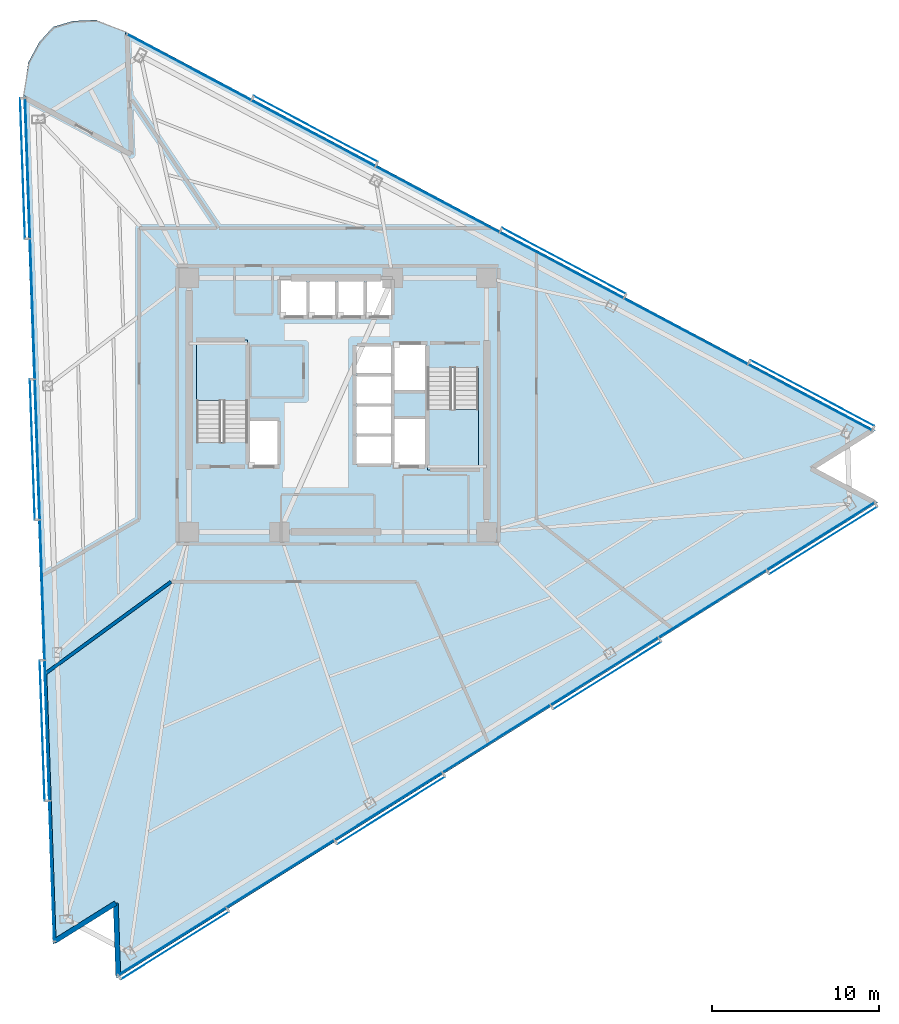
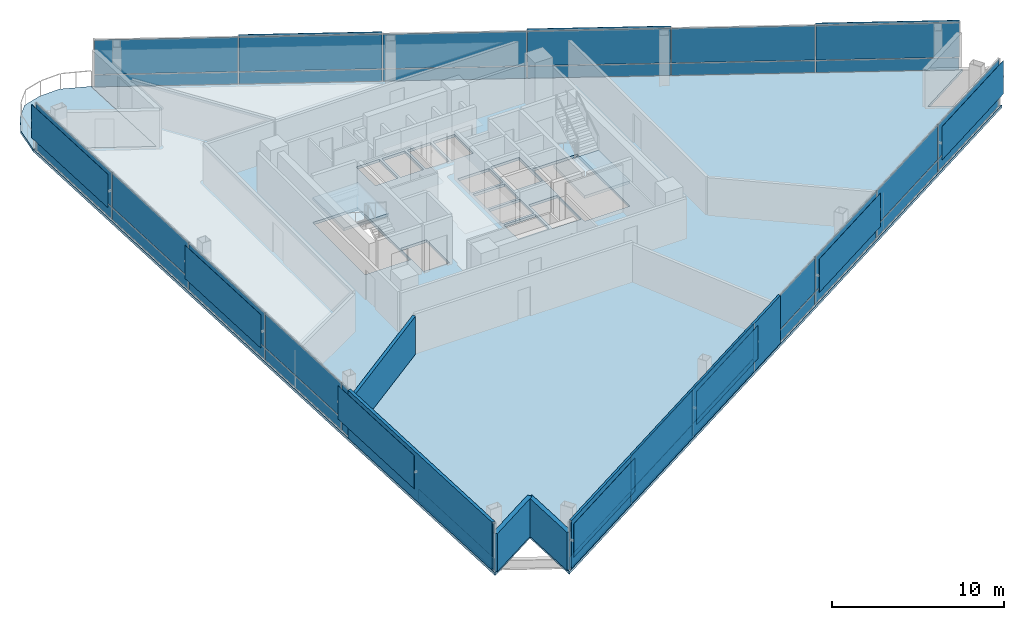
# One storey, part 11 of 18: 48 plates, 5 walls, 4 slabs, 5 elements without a shape of their own.
"""IFC4 building model written with IfcOpenShell, lengths in metres."""

from ifc_helpers import new_model, si_unit, direction, frame, frame_2d, origin, origin_2d, place, context, subcontext, project, spatial, polyline, rectangle, outline, extrude, material, layer, layer_set, type_object, element, aggregate, save


model = new_model("IFC4")

# Units and contexts
model_context = context("Model", 3, precision=1e-05, world=origin(), true_north=direction((0.0, 1.0)))
body_context = subcontext(model_context, "Body", "Model", "MODEL_VIEW")
ifc_project = project(units=[si_unit("LENGTHUNIT", "METRE"), si_unit("AREAUNIT", "SQUARE_METRE"), si_unit("VOLUMEUNIT", "CUBIC_METRE"), si_unit("PLANEANGLEUNIT", "RADIAN"), si_unit("MASSUNIT", "GRAM", prefix="KILO")], contexts=[model_context])

# Site, building, storey
site_placement = place(None, origin())
site = spatial("IfcSite", under=ifc_project, at=site_placement, CompositionType="ELEMENT")
building_placement = place(site_placement, origin())
building = spatial("IfcBuilding", under=site, at=building_placement, Name="Tharavind Bronze Gate", CompositionType="ELEMENT")
storey_placement = place(building_placement, frame((0.0, 0.0, 153.199951171875)))
storey = spatial("IfcBuildingStorey", under=building, at=storey_placement, Name="L39", CompositionType="ELEMENT", Elevation=153.199951171875)

# Plates
ifc_material_1 = material(Name="Perforated Bronze Alloy", Category="bronze")
ifc_layer_1 = layer(ifc_material_1, 0.011962890625)
ifc_layer_set_1 = layer_set([ifc_layer_1], Name="Perforated Bronze Alloy")
plate_type_1 = type_object("IfcPlateType", Name="BRONZE PERFORATED SOLAR SCREEN", PredefinedType="USERDEFINED", material=ifc_layer_set_1)
for number, where, z_axis, x_axis, name in (
    (1, (-18.867919921875, 14.1494140625, 0.966552734375), (0.0, 0.0, 1.0), (0.034899496703, -0.999390827019, 0.0), "CW-L39-S1 perforated bronze solar screen 1"),
    (2, (-18.280517578125, -2.66943359375, 0.966552734375), (0.0, 0.0, 1.0), (0.034899496703, -0.999390827019, 0.0), "CW-L39-S1 perforated bronze solar screen 3"),
    (3, (-17.693115234375, -19.48828125, 0.966552734375), (0.0, 0.0, 1.0), (0.034899496703, -0.999390827019, 0.0), "CW-L39-S1 perforated bronze solar screen 5"),
):
    element("IfcPlate", number, at=place(storey_placement, frame(where, z_axis=z_axis, x_axis=x_axis)), inside=storey, type_object=plate_type_1, Name=name, ObjectType="SCREEN", PredefinedType="USERDEFINED", context=body_context, shape_type="SweptSolid", body=[
        extrude(rectangle(XDim=8.39453125, YDim=0.011962890625, at=origin_2d()), origin(), (0.0, 0.0, 1.0), 2.376953125),
    ])
for number, where, z_axis, x_axis, name in (
    (4, (-9.75439453125, -32.3505859375, 0.966552734375), (0.0, 0.0, 1.0), (0.848048096156, 0.529919264233, 0.0), "CW-L39-S2 perforated bronze solar screen 1"),
    (5, (3.176513671875, -24.2705078125, 0.966552734375), (0.0, 0.0, 1.0), (0.848048096156, 0.529919264233, 0.0), "CW-L39-S2 perforated bronze solar screen 3"),
    (6, (16.107421875, -16.190185546875, 0.966552734375), (0.0, 0.0, 1.0), (0.848048096156, 0.529919264233, 0.0), "CW-L39-S2 perforated bronze solar screen 5"),
    (7, (29.0380859375, -8.110107421875, 0.966552734375), (0.0, 0.0, 1.0), (0.848048096156, 0.529919264233, 0.0), "CW-L39-S2 perforated bronze solar screen 7"),
):
    element("IfcPlate", number, at=place(storey_placement, frame(where, z_axis=z_axis, x_axis=x_axis)), inside=storey, type_object=plate_type_1, Name=name, ObjectType="SCREEN", PredefinedType="USERDEFINED", context=body_context, shape_type="SweptSolid", body=[
        extrude(rectangle(XDim=7.60400390625, YDim=0.011962890625, at=origin_2d()), origin(), (0.0, 0.0, 1.0), 2.376953125),
    ])
for number, where, z_axis, x_axis, name in (
    (8, (28.387451171875, 0.713134765625, 0.966552734375), (0.0, 0.0, 1.0), (-0.882947592859, 0.469471562786, 0.0), "CW-L39-S3 perforated bronze solar screen 1"),
    (9, (13.5283203125, 8.614013671875, 0.966552734375), (0.0, 0.0, 1.0), (-0.882947592859, 0.469471562786, 0.0), "CW-L39-S3 perforated bronze solar screen 3"),
    (10, (-1.3310546875, 16.514892578125, 0.966552734375), (0.0, 0.0, 1.0), (-0.882947592859, 0.469471562786, 0.0), "CW-L39-S3 perforated bronze solar screen 5"),
):
    element("IfcPlate", number, at=place(storey_placement, frame(where, z_axis=z_axis, x_axis=x_axis)), inside=storey, type_object=plate_type_1, Name=name, ObjectType="SCREEN", PredefinedType="USERDEFINED", context=body_context, shape_type="SweptSolid", body=[
        extrude(rectangle(XDim=8.39453125, YDim=0.011962890625, at=origin_2d()), origin(), (0.0, 0.0, 1.0), 2.376953125),
    ])

# Curtain wall, plates
ifc_material_2 = material(Name="Anodised Bronze Aluminium", Category="aluminium")
ifc_layer_2 = layer(ifc_material_2, 0.219970703125)
ifc_layer_set_2 = layer_set([ifc_layer_2], Name="Anodised Bronze Aluminium")
curtain_wall_type = type_object("IfcCurtainWallType", Name="UNITISED CURTAIN WALL MID OFFICE", PredefinedType="USERDEFINED", material=ifc_layer_set_2)
curtain_wall_1_placement = place(storey_placement, origin())
curtain_wall_1 = element("IfcCurtainWall", 11, at=curtain_wall_1_placement, inside=storey, type_object=curtain_wall_type, Name="L39 unitised curtain wall mid office CW-L39-S1", ObjectType="UNITISED CURTAIN WALL", PredefinedType="USERDEFINED")
ifc_material_3 = material(Name="Patinated Bronze Alloy Sheet", Category="bronze")
ifc_layer_3 = layer(ifc_material_3, 0.01611328125)
ifc_layer_set_3 = layer_set([ifc_layer_3], Name="Patinated Bronze Alloy Sheet")
plate_type_2 = type_object("IfcPlateType", Name="BRONZE SPANDREL CLADDING PANEL 16", PredefinedType="CURTAIN_PANEL", material=ifc_layer_set_3)
plate_1_placement = place(storey_placement, frame((-18.572998046875, 14.159912109375, 0.0263671875), z_axis=(0.0, 0.0, 1.0), x_axis=(0.034899496703, -0.999390827019, 0.0)))
plate_1 = element("IfcPlate", 12, at=plate_1_placement, type_object=plate_type_2, Name="CW-L39-S1 bronze spandrel panel 1", PredefinedType="CURTAIN_PANEL", context=body_context, shape_type="SweptSolid", body=[
    extrude(rectangle(XDim=8.361572265625, YDim=0.01611328125, at=origin_2d()), origin(), (0.0, 0.0, 1.0), 0.846923828125),
])
plate_2_placement = place(storey_placement, frame((-18.279296875, 5.750244140625, 0.0263671875), z_axis=(0.0, 0.0, 1.0), x_axis=(0.034899496703, -0.999390827019, 0.0)))
plate_2 = element("IfcPlate", 13, at=plate_2_placement, type_object=plate_type_2, Name="CW-L39-S1 bronze spandrel panel 2", PredefinedType="CURTAIN_PANEL", context=body_context, shape_type="SweptSolid", body=[
    extrude(rectangle(XDim=8.361572265625, YDim=0.01611328125, at=origin_2d()), origin(), (0.0, 0.0, 1.0), 0.846923828125),
])
plate_3_placement = place(storey_placement, frame((-17.985595703125, -2.6591796875, 0.0263671875), z_axis=(0.0, 0.0, 1.0), x_axis=(0.034899496703, -0.999390827019, 0.0)))
plate_3 = element("IfcPlate", 14, at=plate_3_placement, type_object=plate_type_2, Name="CW-L39-S1 bronze spandrel panel 3", PredefinedType="CURTAIN_PANEL", context=body_context, shape_type="SweptSolid", body=[
    extrude(rectangle(XDim=8.361572265625, YDim=0.01611328125, at=origin_2d()), origin(), (0.0, 0.0, 1.0), 0.846923828125),
])
plate_4_placement = place(storey_placement, frame((-17.69189453125, -11.068603515625, 0.0263671875), z_axis=(0.0, 0.0, 1.0), x_axis=(0.034899496703, -0.999390827019, 0.0)))
plate_4 = element("IfcPlate", 15, at=plate_4_placement, type_object=plate_type_2, Name="CW-L39-S1 bronze spandrel panel 4", PredefinedType="CURTAIN_PANEL", context=body_context, shape_type="SweptSolid", body=[
    extrude(rectangle(XDim=8.361572265625, YDim=0.01611328125, at=origin_2d()), origin(), (0.0, 0.0, 1.0), 0.846923828125),
])
plate_5_placement = place(storey_placement, frame((-17.398193359375, -19.477783203125, 0.0263671875), z_axis=(0.0, 0.0, 1.0), x_axis=(0.034899496703, -0.999390827019, 0.0)))
plate_5 = element("IfcPlate", 16, at=plate_5_placement, type_object=plate_type_2, Name="CW-L39-S1 bronze spandrel panel 5", PredefinedType="CURTAIN_PANEL", context=body_context, shape_type="SweptSolid", body=[
    extrude(rectangle(XDim=8.361572265625, YDim=0.01611328125, at=origin_2d()), origin(), (0.0, 0.0, 1.0), 0.846923828125),
])
plate_6_placement = place(storey_placement, frame((-17.1044921875, -27.887451171875, 0.0263671875), z_axis=(0.0, 0.0, 1.0), x_axis=(0.034899496703, -0.999390827019, 0.0)))
plate_6 = element("IfcPlate", 17, at=plate_6_placement, type_object=plate_type_2, Name="CW-L39-S1 bronze spandrel panel 6", PredefinedType="CURTAIN_PANEL", context=body_context, shape_type="SweptSolid", body=[
    extrude(rectangle(XDim=8.361572265625, YDim=0.01611328125, at=origin_2d()), origin(), (0.0, 0.0, 1.0), 0.846923828125),
])

curtain_wall_2_placement = place(storey_placement, origin())
curtain_wall_2 = element("IfcCurtainWall", 18, at=curtain_wall_2_placement, inside=storey, type_object=curtain_wall_type, Name="L39 unitised curtain wall mid office CW-L39-S2", ObjectType="UNITISED CURTAIN WALL", PredefinedType="USERDEFINED")
plate_7_placement = place(storey_placement, frame((-9.910888671875, -32.100341796875, 0.0263671875), z_axis=(0.0, 0.0, 1.0), x_axis=(0.848048096156, 0.529919264233, 0.0)))
plate_7 = element("IfcPlate", 19, at=plate_7_placement, type_object=plate_type_2, Name="CW-L39-S2 bronze spandrel panel 1", PredefinedType="CURTAIN_PANEL", context=body_context, shape_type="SweptSolid", body=[
    extrude(rectangle(XDim=7.57080078125, YDim=0.01611328125, at=origin_2d()), origin(), (0.0, 0.0, 1.0), 0.846923828125),
])
plate_8_placement = place(storey_placement, frame((-3.4453125, -28.060302734375, 0.0263671875), z_axis=(0.0, 0.0, 1.0), x_axis=(0.848048096156, 0.529919264233, 0.0)))
plate_8 = element("IfcPlate", 20, at=plate_8_placement, type_object=plate_type_2, Name="CW-L39-S2 bronze spandrel panel 2", PredefinedType="CURTAIN_PANEL", context=body_context, shape_type="SweptSolid", body=[
    extrude(rectangle(XDim=7.57080078125, YDim=0.01611328125, at=origin_2d()), origin(), (0.0, 0.0, 1.0), 0.846923828125),
])
plate_9_placement = place(storey_placement, frame((3.02001953125, -24.020263671875, 0.0263671875), z_axis=(0.0, 0.0, 1.0), x_axis=(0.848048096156, 0.529919264233, 0.0)))
plate_9 = element("IfcPlate", 21, at=plate_9_placement, type_object=plate_type_2, Name="CW-L39-S2 bronze spandrel panel 3", PredefinedType="CURTAIN_PANEL", context=body_context, shape_type="SweptSolid", body=[
    extrude(rectangle(XDim=7.57080078125, YDim=0.01611328125, at=origin_2d()), origin(), (0.0, 0.0, 1.0), 0.846923828125),
])
plate_10_placement = place(storey_placement, frame((9.485595703125, -19.97998046875, 0.0263671875), z_axis=(0.0, 0.0, 1.0), x_axis=(0.848048096156, 0.529919264233, 0.0)))
plate_10 = element("IfcPlate", 22, at=plate_10_placement, type_object=plate_type_2, Name="CW-L39-S2 bronze spandrel panel 4", PredefinedType="CURTAIN_PANEL", context=body_context, shape_type="SweptSolid", body=[
    extrude(rectangle(XDim=7.57080078125, YDim=0.01611328125, at=origin_2d()), origin(), (0.0, 0.0, 1.0), 0.846923828125),
])
plate_11_placement = place(storey_placement, frame((15.950927734375, -15.93994140625, 0.0263671875), z_axis=(0.0, 0.0, 1.0), x_axis=(0.848048096156, 0.529919264233, 0.0)))
plate_11 = element("IfcPlate", 23, at=plate_11_placement, type_object=plate_type_2, Name="CW-L39-S2 bronze spandrel panel 5", PredefinedType="CURTAIN_PANEL", context=body_context, shape_type="SweptSolid", body=[
    extrude(rectangle(XDim=7.57080078125, YDim=0.01611328125, at=origin_2d()), origin(), (0.0, 0.0, 1.0), 0.846923828125),
])
plate_12_placement = place(storey_placement, frame((22.41650390625, -11.89990234375, 0.0263671875), z_axis=(0.0, 0.0, 1.0), x_axis=(0.848048096156, 0.529919264233, 0.0)))
plate_12 = element("IfcPlate", 24, at=plate_12_placement, type_object=plate_type_2, Name="CW-L39-S2 bronze spandrel panel 6", PredefinedType="CURTAIN_PANEL", context=body_context, shape_type="SweptSolid", body=[
    extrude(rectangle(XDim=7.57080078125, YDim=0.01611328125, at=origin_2d()), origin(), (0.0, 0.0, 1.0), 0.846923828125),
])
plate_13_placement = place(storey_placement, frame((28.8818359375, -7.85986328125, 0.0263671875), z_axis=(0.0, 0.0, 1.0), x_axis=(0.848048096156, 0.529919264233, 0.0)))
plate_13 = element("IfcPlate", 25, at=plate_13_placement, type_object=plate_type_2, Name="CW-L39-S2 bronze spandrel panel 7", PredefinedType="CURTAIN_PANEL", context=body_context, shape_type="SweptSolid", body=[
    extrude(rectangle(XDim=7.57080078125, YDim=0.01611328125, at=origin_2d()), origin(), (0.0, 0.0, 1.0), 0.846923828125),
])

curtain_wall_3_placement = place(storey_placement, origin())
curtain_wall_3 = element("IfcCurtainWall", 26, at=curtain_wall_3_placement, inside=storey, type_object=curtain_wall_type, Name="L39 unitised curtain wall mid office CW-L39-S3", ObjectType="UNITISED CURTAIN WALL", PredefinedType="USERDEFINED")
plate_14_placement = place(storey_placement, frame((28.2490234375, 0.45263671875, 0.0263671875), z_axis=(0.0, 0.0, 1.0), x_axis=(-0.882947592859, 0.469471562786, 0.0)))
plate_14 = element("IfcPlate", 27, at=plate_14_placement, type_object=plate_type_2, Name="CW-L39-S3 bronze spandrel panel 1", PredefinedType="CURTAIN_PANEL", context=body_context, shape_type="SweptSolid", body=[
    extrude(rectangle(XDim=8.361572265625, YDim=0.01611328125, at=origin_2d()), origin(), (0.0, 0.0, 1.0), 0.846923828125),
])
plate_15_placement = place(storey_placement, frame((20.8193359375, 4.403076171875, 0.0263671875), z_axis=(0.0, 0.0, 1.0), x_axis=(-0.882947592859, 0.469471562786, 0.0)))
plate_15 = element("IfcPlate", 28, at=plate_15_placement, type_object=plate_type_2, Name="CW-L39-S3 bronze spandrel panel 2", PredefinedType="CURTAIN_PANEL", context=body_context, shape_type="SweptSolid", body=[
    extrude(rectangle(XDim=8.361572265625, YDim=0.01611328125, at=origin_2d()), origin(), (0.0, 0.0, 1.0), 0.846923828125),
])
plate_16_placement = place(storey_placement, frame((13.389892578125, 8.353515625, 0.0263671875), z_axis=(0.0, 0.0, 1.0), x_axis=(-0.882947592859, 0.469471562786, 0.0)))
plate_16 = element("IfcPlate", 29, at=plate_16_placement, type_object=plate_type_2, Name="CW-L39-S3 bronze spandrel panel 3", PredefinedType="CURTAIN_PANEL", context=body_context, shape_type="SweptSolid", body=[
    extrude(rectangle(XDim=8.361572265625, YDim=0.01611328125, at=origin_2d()), origin(), (0.0, 0.0, 1.0), 0.846923828125),
])
plate_17_placement = place(storey_placement, frame((5.960205078125, 12.303955078125, 0.0263671875), z_axis=(0.0, 0.0, 1.0), x_axis=(-0.882947592859, 0.469471562786, 0.0)))
plate_17 = element("IfcPlate", 30, at=plate_17_placement, type_object=plate_type_2, Name="CW-L39-S3 bronze spandrel panel 4", PredefinedType="CURTAIN_PANEL", context=body_context, shape_type="SweptSolid", body=[
    extrude(rectangle(XDim=8.361572265625, YDim=0.01611328125, at=origin_2d()), origin(), (0.0, 0.0, 1.0), 0.846923828125),
])
plate_18_placement = place(storey_placement, frame((-1.469482421875, 16.25439453125, 0.0263671875), z_axis=(0.0, 0.0, 1.0), x_axis=(-0.882947592859, 0.469471562786, 0.0)))
plate_18 = element("IfcPlate", 31, at=plate_18_placement, type_object=plate_type_2, Name="CW-L39-S3 bronze spandrel panel 5", PredefinedType="CURTAIN_PANEL", context=body_context, shape_type="SweptSolid", body=[
    extrude(rectangle(XDim=8.361572265625, YDim=0.01611328125, at=origin_2d()), origin(), (0.0, 0.0, 1.0), 0.846923828125),
])
plate_19_placement = place(storey_placement, frame((-8.899169921875, 20.20458984375, 0.0263671875), z_axis=(0.0, 0.0, 1.0), x_axis=(-0.882947592859, 0.469471562786, 0.0)))
plate_19 = element("IfcPlate", 32, at=plate_19_placement, type_object=plate_type_2, Name="CW-L39-S3 bronze spandrel panel 6", PredefinedType="CURTAIN_PANEL", context=body_context, shape_type="SweptSolid", body=[
    extrude(rectangle(XDim=8.361572265625, YDim=0.01611328125, at=origin_2d()), origin(), (0.0, 0.0, 1.0), 0.846923828125),
])

# Slab
ifc_material_4 = material(Name="Concrete C40/50", Category="concrete")
ifc_layer_4 = layer(ifc_material_4, 0.179931640625)
ifc_layer_set_4 = layer_set([ifc_layer_4], Name="Concrete C40/50")
slab_type_1 = type_object("IfcSlabType", Name="EXTERIOR BALCONY SLAB 180", PredefinedType="FLOOR", material=ifc_layer_set_4)
slab_1_placement = place(storey_placement, frame((0.0, 0.0, -0.179931640625)))
element("IfcSlab", 33, at=slab_1_placement, inside=storey, type_object=slab_type_1, Name="L39 northeast tree balcony slab", PredefinedType="FLOOR", context=body_context, shape_type="SweptSolid", body=[
    extrude(outline(polyline([(-14.45654296875, 23.033203125), (-15.835693359375, 22.975830078125), (-17.032470703125, 22.626220703125), (-17.87109375, 21.7041015625), (-18.527099609375, 20.489501953125), (-18.82568359375, 18.5341796875), (-12.468505859375, 15.15380859375), (-12.719970703125, 22.349609375), (-14.45654296875, 23.033203125)])), origin(), (0.0, 0.0, 1.0), 0.179931640625),
])

# Stair, slab
stair_type = type_object("IfcStairType", Name="CORE HALF TURN STAIR 1450", PredefinedType="HALF_TURN_STAIR", material=ifc_material_4)
stair_1_placement = place(storey_placement, origin())
stair_1 = element("IfcStair", 34, at=stair_1_placement, inside=storey, type_object=stair_type, Name="L39 Protected Exit Stair ST1", PredefinedType="HALF_TURN_STAIR")
ifc_layer_5 = layer(ifc_material_4, 0.199951171875)
ifc_layer_set_5 = layer_set([ifc_layer_5], Name="Concrete C40/50")
slab_type_2 = type_object("IfcSlabType", Name="STAIR LANDING SLAB 200", PredefinedType="LANDING", material=ifc_layer_set_5)
slab_2_placement = place(storey_placement, frame((0.0, 0.0, 1.60009765625)))
slab_2 = element("IfcSlab", 35, at=slab_2_placement, type_object=slab_type_2, Name="ST1 landing 1", PredefinedType="LANDING", context=body_context, shape_type="SweptSolid", body=[
    extrude(outline(polyline([(-5.39990234375, 0.27001953125), (-5.39990234375, 3.89990234375), (-8.449951171875, 3.89990234375), (-8.449951171875, 0.27001953125), (-5.39990234375, 0.27001953125)])), origin(), (0.0, 0.0, 1.0), 0.199951171875),
])
aggregate(stair_1, [slab_2])

stair_2_placement = place(storey_placement, origin())
stair_2 = element("IfcStair", 36, at=stair_2_placement, inside=storey, type_object=stair_type, Name="L39 Protected Exit Stair ST2", PredefinedType="HALF_TURN_STAIR")
slab_3_placement = place(storey_placement, frame((0.0, 0.0, 1.60009765625)))
slab_3 = element("IfcSlab", 37, at=slab_3_placement, type_object=slab_type_2, Name="ST2 landing 1", PredefinedType="LANDING", context=body_context, shape_type="SweptSolid", body=[
    extrude(outline(polyline([(5.35009765625, -0.27001953125), (5.35009765625, -3.89990234375), (8.39990234375, -3.89990234375), (8.39990234375, -0.27001953125), (5.35009765625, -0.27001953125)])), origin(), (0.0, 0.0, 1.0), 0.199951171875),
])
aggregate(stair_2, [slab_3])

# Slab
ifc_layer_6 = layer(ifc_material_4, 0.18994140625)
ifc_layer_set_6 = layer_set([ifc_layer_6], Name="Concrete C40/50")
slab_type_3 = type_object("IfcSlabType", Name="STRUCTURAL FLOOR SLAB 190", PredefinedType="FLOOR", material=ifc_layer_set_6)
slab_4_placement = place(storey_placement, frame((0.0, 0.0, -0.18994140625)))
element("IfcSlab", 38, at=slab_4_placement, inside=storey, type_object=slab_type_3, Name="L39 main structural floor slab", PredefinedType="FLOOR", context=body_context, shape_type="SweptSolid", body=[
    extrude(outline(polyline([(-12.719970703125, 22.349609375), (-12.468505859375, 15.15380859375), (-18.82568359375, 18.5341796875), (-17.0517578125, -32.268798828125), (-13.38818359375, -29.9794921875), (-13.2373046875, -34.296875), (32.314453125, -5.8330078125), (28.500244140625, -3.8046875), (32.163818359375, -1.515380859375), (-12.719970703125, 22.349609375)]), holes=[polyline([(-5.39990234375, -2.215087890625), (-5.39990234375, 3.89990234375), (-8.449951171875, 3.89990234375), (-8.449951171875, -2.215087890625), (-5.39990234375, -2.215087890625)]), polyline([(5.35009765625, 2.215087890625), (5.35009765625, -3.89990234375), (8.39990234375, -3.89990234375), (8.39990234375, 2.215087890625), (5.35009765625, 2.215087890625)]), polyline([(-3.419921875, 5.330078125), (-1.867431640625, 5.330078125), (-1.867431640625, 7.52001953125), (-3.419921875, 7.52001953125), (-3.419921875, 5.330078125)]), polyline([(-1.70751953125, 5.330078125), (-0.155029296875, 5.330078125), (-0.155029296875, 7.52001953125), (-1.70751953125, 7.52001953125), (-1.70751953125, 5.330078125)]), polyline([(0.0048828125, 5.330078125), (1.5576171875, 5.330078125), (1.5576171875, 7.52001953125), (0.0048828125, 7.52001953125), (0.0048828125, 5.330078125)]), polyline([(1.717529296875, 5.330078125), (3.199951171875, 5.330078125), (3.199951171875, 7.52001953125), (1.717529296875, 7.52001953125), (1.717529296875, 5.330078125)]), polyline([(1.080078125, -3.52001953125), (3.199951171875, -3.52001953125), (3.199951171875, -1.8798828125), (1.080078125, -1.8798828125), (1.080078125, -3.52001953125)]), polyline([(1.080078125, -1.719970703125), (3.199951171875, -1.719970703125), (3.199951171875, -0.080078125), (1.080078125, -0.080078125), (1.080078125, -1.719970703125)]), polyline([(1.080078125, 0.080078125), (3.199951171875, 0.080078125), (3.199951171875, 1.719970703125), (1.080078125, 1.719970703125), (1.080078125, 0.080078125)]), polyline([(1.080078125, 1.8798828125), (3.199951171875, 1.8798828125), (3.199951171875, 3.52001953125), (1.080078125, 3.52001953125), (1.080078125, 1.8798828125)]), polyline([(-5.320068359375, -3.6201171875), (-3.580078125, -3.6201171875), (-3.580078125, -0.929931640625), (-5.320068359375, -0.929931640625), (-5.320068359375, -3.6201171875)]), polyline([(3.360107421875, 0.8798828125), (5.27001953125, 0.8798828125), (5.27001953125, 3.6201171875), (3.360107421875, 3.6201171875), (3.360107421875, 0.8798828125)]), polyline([(3.360107421875, -3.6201171875), (5.27001953125, -3.6201171875), (5.27001953125, -0.830078125), (3.360107421875, -0.830078125), (3.360107421875, -3.6201171875)])]), origin(), (0.0, 0.0, 1.0), 0.18994140625),
])

# Plate
ifc_material_5 = material(Name="Triple Solar Control Glazing", Category="glass")
ifc_layer_7 = layer(ifc_material_5, 0.0439453125)
ifc_layer_set_7 = layer_set([ifc_layer_7], Name="Triple Solar Control Glazing")
plate_type_3 = type_object("IfcPlateType", Name="TRIPLE GLAZED FACADE PANEL 44", PredefinedType="CURTAIN_PANEL", material=ifc_layer_set_7)
plate_20_placement = place(storey_placement, frame((-18.572998046875, 14.159912109375, 0.926513671875), z_axis=(0.0, 0.0, 1.0), x_axis=(0.034899496703, -0.999390827019, 0.0)))
plate_20 = element("IfcPlate", 39, at=plate_20_placement, type_object=plate_type_3, Name="CW-L39-S1 vision glazing panel 1", PredefinedType="CURTAIN_PANEL", context=body_context, shape_type="SweptSolid", body=[
    extrude(rectangle(XDim=8.361572265625, YDim=0.0439453125, at=origin_2d()), origin(), (0.0, 0.0, 1.0), 2.45703125),
])

plate_21_placement = place(storey_placement, frame((-18.279296875, 5.750244140625, 0.926513671875), z_axis=(0.0, 0.0, 1.0), x_axis=(0.034899496703, -0.999390827019, 0.0)))
plate_21 = element("IfcPlate", 40, at=plate_21_placement, type_object=plate_type_3, Name="CW-L39-S1 vision glazing panel 2", PredefinedType="CURTAIN_PANEL", context=body_context, shape_type="SweptSolid", body=[
    extrude(rectangle(XDim=8.361572265625, YDim=0.0439453125, at=origin_2d()), origin(), (0.0, 0.0, 1.0), 2.45703125),
])

plate_22_placement = place(storey_placement, frame((-17.985595703125, -2.6591796875, 0.926513671875), z_axis=(0.0, 0.0, 1.0), x_axis=(0.034899496703, -0.999390827019, 0.0)))
plate_22 = element("IfcPlate", 41, at=plate_22_placement, type_object=plate_type_3, Name="CW-L39-S1 vision glazing panel 3", PredefinedType="CURTAIN_PANEL", context=body_context, shape_type="SweptSolid", body=[
    extrude(rectangle(XDim=8.361572265625, YDim=0.0439453125, at=origin_2d()), origin(), (0.0, 0.0, 1.0), 2.45703125),
])

plate_23_placement = place(storey_placement, frame((-17.69189453125, -11.068603515625, 0.926513671875), z_axis=(0.0, 0.0, 1.0), x_axis=(0.034899496703, -0.999390827019, 0.0)))
plate_23 = element("IfcPlate", 42, at=plate_23_placement, type_object=plate_type_3, Name="CW-L39-S1 vision glazing panel 4", PredefinedType="CURTAIN_PANEL", context=body_context, shape_type="SweptSolid", body=[
    extrude(rectangle(XDim=8.361572265625, YDim=0.0439453125, at=origin_2d()), origin(), (0.0, 0.0, 1.0), 2.45703125),
])

plate_24_placement = place(storey_placement, frame((-17.398193359375, -19.477783203125, 0.926513671875), z_axis=(0.0, 0.0, 1.0), x_axis=(0.034899496703, -0.999390827019, 0.0)))
plate_24 = element("IfcPlate", 43, at=plate_24_placement, type_object=plate_type_3, Name="CW-L39-S1 vision glazing panel 5", PredefinedType="CURTAIN_PANEL", context=body_context, shape_type="SweptSolid", body=[
    extrude(rectangle(XDim=8.361572265625, YDim=0.0439453125, at=origin_2d()), origin(), (0.0, 0.0, 1.0), 2.45703125),
])

plate_25_placement = place(storey_placement, frame((-17.1044921875, -27.887451171875, 0.926513671875), z_axis=(0.0, 0.0, 1.0), x_axis=(0.034899496703, -0.999390827019, 0.0)))
plate_25 = element("IfcPlate", 44, at=plate_25_placement, type_object=plate_type_3, Name="CW-L39-S1 vision glazing panel 6", PredefinedType="CURTAIN_PANEL", context=body_context, shape_type="SweptSolid", body=[
    extrude(rectangle(XDim=8.361572265625, YDim=0.0439453125, at=origin_2d()), origin(), (0.0, 0.0, 1.0), 2.45703125),
])

aggregate(curtain_wall_1, [plate_1, plate_20, plate_2, plate_21, plate_3, plate_22, plate_4, plate_23, plate_5, plate_24, plate_6, plate_25])

plate_26_placement = place(storey_placement, frame((-9.910888671875, -32.100341796875, 0.926513671875), z_axis=(0.0, 0.0, 1.0), x_axis=(0.848048096156, 0.529919264233, 0.0)))
plate_26 = element("IfcPlate", 45, at=plate_26_placement, type_object=plate_type_3, Name="CW-L39-S2 vision glazing panel 1", PredefinedType="CURTAIN_PANEL", context=body_context, shape_type="SweptSolid", body=[
    extrude(rectangle(XDim=7.57080078125, YDim=0.0439453125, at=origin_2d()), origin(), (0.0, 0.0, 1.0), 2.45703125),
])

plate_27_placement = place(storey_placement, frame((-3.4453125, -28.060302734375, 0.926513671875), z_axis=(0.0, 0.0, 1.0), x_axis=(0.848048096156, 0.529919264233, 0.0)))
plate_27 = element("IfcPlate", 46, at=plate_27_placement, type_object=plate_type_3, Name="CW-L39-S2 vision glazing panel 2", PredefinedType="CURTAIN_PANEL", context=body_context, shape_type="SweptSolid", body=[
    extrude(rectangle(XDim=7.57080078125, YDim=0.0439453125, at=origin_2d()), origin(), (0.0, 0.0, 1.0), 2.45703125),
])

plate_28_placement = place(storey_placement, frame((3.02001953125, -24.020263671875, 0.926513671875), z_axis=(0.0, 0.0, 1.0), x_axis=(0.848048096156, 0.529919264233, 0.0)))
plate_28 = element("IfcPlate", 47, at=plate_28_placement, type_object=plate_type_3, Name="CW-L39-S2 vision glazing panel 3", PredefinedType="CURTAIN_PANEL", context=body_context, shape_type="SweptSolid", body=[
    extrude(rectangle(XDim=7.57080078125, YDim=0.0439453125, at=origin_2d()), origin(), (0.0, 0.0, 1.0), 2.45703125),
])

plate_29_placement = place(storey_placement, frame((9.485595703125, -19.97998046875, 0.926513671875), z_axis=(0.0, 0.0, 1.0), x_axis=(0.848048096156, 0.529919264233, 0.0)))
plate_29 = element("IfcPlate", 48, at=plate_29_placement, type_object=plate_type_3, Name="CW-L39-S2 vision glazing panel 4", PredefinedType="CURTAIN_PANEL", context=body_context, shape_type="SweptSolid", body=[
    extrude(rectangle(XDim=7.57080078125, YDim=0.0439453125, at=origin_2d()), origin(), (0.0, 0.0, 1.0), 2.45703125),
])

plate_30_placement = place(storey_placement, frame((15.950927734375, -15.93994140625, 0.926513671875), z_axis=(0.0, 0.0, 1.0), x_axis=(0.848048096156, 0.529919264233, 0.0)))
plate_30 = element("IfcPlate", 49, at=plate_30_placement, type_object=plate_type_3, Name="CW-L39-S2 vision glazing panel 5", PredefinedType="CURTAIN_PANEL", context=body_context, shape_type="SweptSolid", body=[
    extrude(rectangle(XDim=7.57080078125, YDim=0.0439453125, at=origin_2d()), origin(), (0.0, 0.0, 1.0), 2.45703125),
])

plate_31_placement = place(storey_placement, frame((22.41650390625, -11.89990234375, 0.926513671875), z_axis=(0.0, 0.0, 1.0), x_axis=(0.848048096156, 0.529919264233, 0.0)))
plate_31 = element("IfcPlate", 50, at=plate_31_placement, type_object=plate_type_3, Name="CW-L39-S2 vision glazing panel 6", PredefinedType="CURTAIN_PANEL", context=body_context, shape_type="SweptSolid", body=[
    extrude(rectangle(XDim=7.57080078125, YDim=0.0439453125, at=origin_2d()), origin(), (0.0, 0.0, 1.0), 2.45703125),
])

plate_32_placement = place(storey_placement, frame((28.8818359375, -7.85986328125, 0.926513671875), z_axis=(0.0, 0.0, 1.0), x_axis=(0.848048096156, 0.529919264233, 0.0)))
plate_32 = element("IfcPlate", 51, at=plate_32_placement, type_object=plate_type_3, Name="CW-L39-S2 vision glazing panel 7", PredefinedType="CURTAIN_PANEL", context=body_context, shape_type="SweptSolid", body=[
    extrude(rectangle(XDim=7.57080078125, YDim=0.0439453125, at=origin_2d()), origin(), (0.0, 0.0, 1.0), 2.45703125),
])

aggregate(curtain_wall_2, [plate_7, plate_26, plate_8, plate_27, plate_9, plate_28, plate_10, plate_29, plate_11, plate_30, plate_12, plate_31, plate_13, plate_32])

plate_33_placement = place(storey_placement, frame((28.2490234375, 0.45263671875, 0.926513671875), z_axis=(0.0, 0.0, 1.0), x_axis=(-0.882947592859, 0.469471562786, 0.0)))
plate_33 = element("IfcPlate", 52, at=plate_33_placement, type_object=plate_type_3, Name="CW-L39-S3 vision glazing panel 1", PredefinedType="CURTAIN_PANEL", context=body_context, shape_type="SweptSolid", body=[
    extrude(rectangle(XDim=8.361572265625, YDim=0.0439453125, at=origin_2d()), origin(), (0.0, 0.0, 1.0), 2.45703125),
])

plate_34_placement = place(storey_placement, frame((20.8193359375, 4.403076171875, 0.926513671875), z_axis=(0.0, 0.0, 1.0), x_axis=(-0.882947592859, 0.469471562786, 0.0)))
plate_34 = element("IfcPlate", 53, at=plate_34_placement, type_object=plate_type_3, Name="CW-L39-S3 vision glazing panel 2", PredefinedType="CURTAIN_PANEL", context=body_context, shape_type="SweptSolid", body=[
    extrude(rectangle(XDim=8.361572265625, YDim=0.0439453125, at=origin_2d()), origin(), (0.0, 0.0, 1.0), 2.45703125),
])

plate_35_placement = place(storey_placement, frame((13.389892578125, 8.353515625, 0.926513671875), z_axis=(0.0, 0.0, 1.0), x_axis=(-0.882947592859, 0.469471562786, 0.0)))
plate_35 = element("IfcPlate", 54, at=plate_35_placement, type_object=plate_type_3, Name="CW-L39-S3 vision glazing panel 3", PredefinedType="CURTAIN_PANEL", context=body_context, shape_type="SweptSolid", body=[
    extrude(rectangle(XDim=8.361572265625, YDim=0.0439453125, at=origin_2d()), origin(), (0.0, 0.0, 1.0), 2.45703125),
])

plate_36_placement = place(storey_placement, frame((5.960205078125, 12.303955078125, 0.926513671875), z_axis=(0.0, 0.0, 1.0), x_axis=(-0.882947592859, 0.469471562786, 0.0)))
plate_36 = element("IfcPlate", 55, at=plate_36_placement, type_object=plate_type_3, Name="CW-L39-S3 vision glazing panel 4", PredefinedType="CURTAIN_PANEL", context=body_context, shape_type="SweptSolid", body=[
    extrude(rectangle(XDim=8.361572265625, YDim=0.0439453125, at=origin_2d()), origin(), (0.0, 0.0, 1.0), 2.45703125),
])

plate_37_placement = place(storey_placement, frame((-1.469482421875, 16.25439453125, 0.926513671875), z_axis=(0.0, 0.0, 1.0), x_axis=(-0.882947592859, 0.469471562786, 0.0)))
plate_37 = element("IfcPlate", 56, at=plate_37_placement, type_object=plate_type_3, Name="CW-L39-S3 vision glazing panel 5", PredefinedType="CURTAIN_PANEL", context=body_context, shape_type="SweptSolid", body=[
    extrude(rectangle(XDim=8.361572265625, YDim=0.0439453125, at=origin_2d()), origin(), (0.0, 0.0, 1.0), 2.45703125),
])

plate_38_placement = place(storey_placement, frame((-8.899169921875, 20.20458984375, 0.926513671875), z_axis=(0.0, 0.0, 1.0), x_axis=(-0.882947592859, 0.469471562786, 0.0)))
plate_38 = element("IfcPlate", 57, at=plate_38_placement, type_object=plate_type_3, Name="CW-L39-S3 vision glazing panel 6", PredefinedType="CURTAIN_PANEL", context=body_context, shape_type="SweptSolid", body=[
    extrude(rectangle(XDim=8.361572265625, YDim=0.0439453125, at=origin_2d()), origin(), (0.0, 0.0, 1.0), 2.45703125),
])

aggregate(curtain_wall_3, [plate_14, plate_33, plate_15, plate_34, plate_16, plate_35, plate_17, plate_36, plate_18, plate_37, plate_19, plate_38])

# Walls
ifc_layer_8 = layer(ifc_material_4, 0.300048828125)
ifc_layer_set_8 = layer_set([ifc_layer_8], Name="Concrete C40/50")
wall_type_1 = type_object("IfcWallType", Name="EXTERIOR SPANDREL WALL 300", PredefinedType="STANDARD", material=ifc_layer_set_8)
wall_1_placement = place(storey_placement, frame((-16.957763671875, -32.092041015625, 0.0), z_axis=(0.0, 0.0, 1.0), x_axis=(0.848068146975, 0.529887174866, 0.0)))
element("IfcWall", 58, at=wall_1_placement, inside=storey, type_object=wall_type_1, Name="L39 notch cheek wall 2A", PredefinedType="STANDARD", context=body_context, shape_type="SweptSolid", body=[
    extrude(rectangle(XDim=4.31982421875, YDim=0.300048828125, at=frame_2d((2.159912109375, 0.0))), origin(), (0.0, 0.0, 1.0), 2.705078125),
])
wall_2_placement = place(storey_placement, frame((-13.294189453125, -29.802978515625, 0.0), z_axis=(0.0, 0.0, 1.0), x_axis=(0.034869079132, -0.999391888761, 0.0)))
element("IfcWall", 59, at=wall_2_placement, inside=storey, type_object=wall_type_1, Name="L39 notch cheek wall 2B", PredefinedType="STANDARD", context=body_context, shape_type="SweptSolid", body=[
    extrude(rectangle(XDim=4.320068359375, YDim=0.300048828125, at=frame_2d((2.16015625, 0.0))), origin(), (0.0, 0.0, 1.0), 2.705078125),
])
ifc_material_6 = material(Name="Aerated Concrete Block", Category="concrete")
ifc_layer_9 = layer(ifc_material_6, 0.199951171875)
ifc_layer_set_9 = layer_set([ifc_layer_9], Name="Aerated Concrete Block")
wall_type_2 = type_object("IfcWallType", Name="FIRE RATED PARTITION 200", PredefinedType="PARTITIONING", material=ifc_layer_set_9)
wall_3_placement = place(storey_placement, frame((-17.51708984375, -16.080322265625, 0.0), z_axis=(0.0, 0.0, 1.0), x_axis=(0.807836100195, 0.58940718966, 0.0)))
element("IfcWall", 60, at=wall_3_placement, inside=storey, type_object=wall_type_2, Name="L39 Public Restrooms Block partition", PredefinedType="PARTITIONING", context=body_context, shape_type="SweptSolid", body=[
    extrude(rectangle(XDim=9.323974609375, YDim=0.199951171875, at=frame_2d((4.662109375, 0.0))), origin(), (0.0, 0.0, 1.0), 2.705078125),
])
wall_4_placement = place(storey_placement, frame((-16.964111328125, -31.9130859375, 0.0), z_axis=(0.0, 0.0, 1.0), x_axis=(-0.034889540938, 0.999391174632, 0.0)))
element("IfcWall", 61, at=wall_4_placement, inside=storey, type_object=wall_type_2, Name="L39 Public Restrooms Block partition", PredefinedType="PARTITIONING", context=body_context, shape_type="SweptSolid", body=[
    extrude(rectangle(XDim=15.842529296875, YDim=0.199951171875, at=frame_2d((7.92138671875, 0.0))), origin(), (0.0, 0.0, 1.0), 3.41015625),
])
ifc_material_7 = material(Name="Twin Stud Acoustic Gypsum", Category="gypsum")
ifc_layer_10 = layer(ifc_material_7, 0.14990234375)
ifc_layer_set_10 = layer_set([ifc_layer_10], Name="Twin Stud Acoustic Gypsum")
wall_type_3 = type_object("IfcWallType", Name="INTERIOR PARTITION WALL 150", PredefinedType="PARTITIONING", material=ifc_layer_set_10)
wall_5_placement = place(storey_placement, frame((9.005615234375, -20.280029296875, 0.0), z_axis=(0.0, 0.0, 1.0), x_axis=(-0.848049591294, -0.529916871505, 0.0)))
element("IfcWall", 62, at=wall_5_placement, inside=storey, type_object=wall_type_3, Name="L39 Public Restrooms Block partition", PredefinedType="PARTITIONING", context=body_context, shape_type="SweptSolid", body=[
    extrude(rectangle(XDim=25.938720703125, YDim=0.14990234375, at=frame_2d((12.96923828125, 0.0))), origin(), (0.0, 0.0, 1.0), 3.41015625),
])

save(model, "model.ifc")
